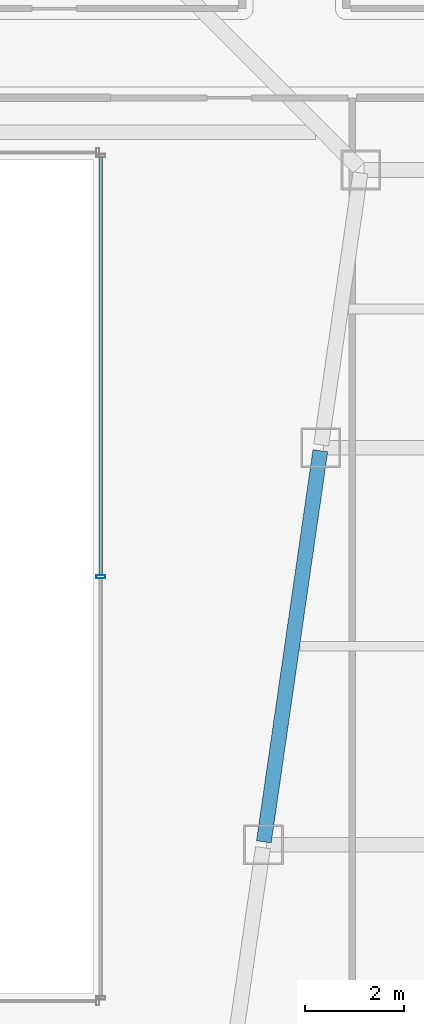
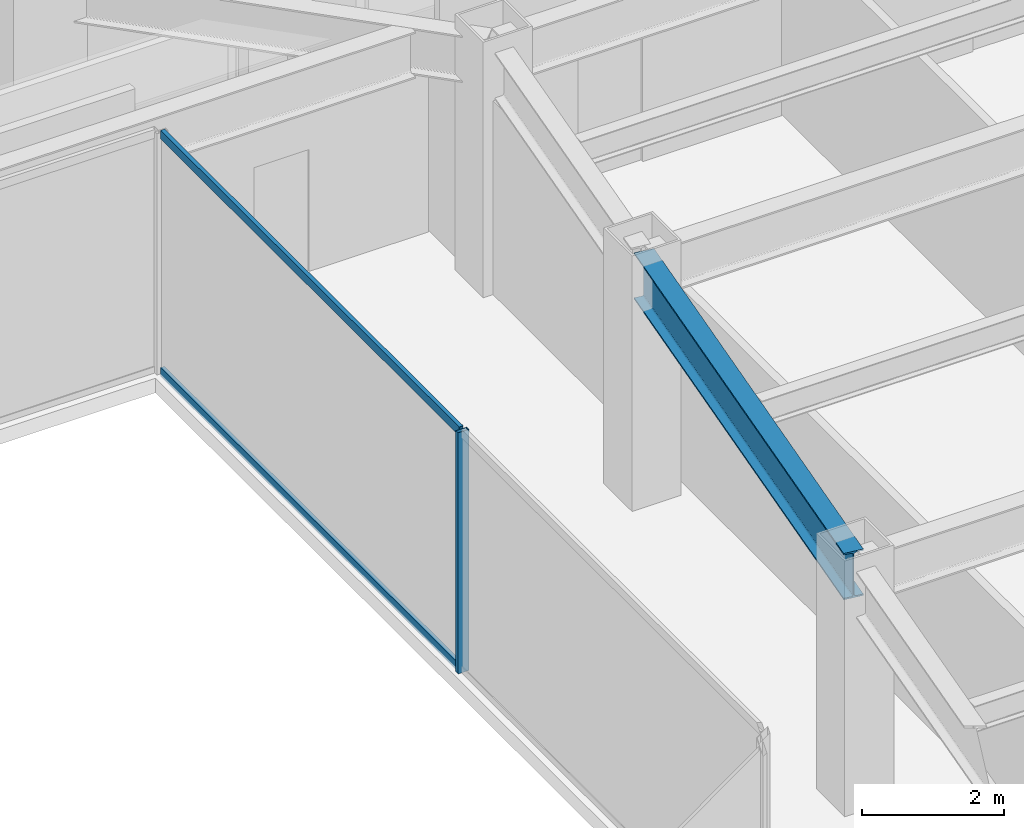
# One storey, part 20 of 49: 3 members, 1 beam, 1 element without a shape of its own.
"""IFC4 building model written with IfcOpenShell, lengths in metres."""

from ifc_helpers import new_model, si_unit, direction, frame, origin, origin_2d, place, context, subcontext, project, spatial, hollow_rectangle, i_section, extrude, material, material_profile, profile_set, type_object, element, aggregate, save


model = new_model("IFC4")

# Units and contexts
model_context = context("Model", 3, precision=1e-05, world=origin(), true_north=direction((0.0, 1.0)))
body_context = subcontext(model_context, "Body", "Model", "MODEL_VIEW")
ifc_project = project(units=[si_unit("LENGTHUNIT", "METRE"), si_unit("AREAUNIT", "SQUARE_METRE"), si_unit("VOLUMEUNIT", "CUBIC_METRE"), si_unit("PLANEANGLEUNIT", "RADIAN"), si_unit("MASSUNIT", "GRAM", prefix="KILO")], contexts=[model_context])

# Site, building, storey
site_placement = place(None, origin())
site = spatial("IfcSite", under=ifc_project, at=site_placement, CompositionType="ELEMENT")
building_placement = place(site_placement, origin())
building = spatial("IfcBuilding", under=site, at=building_placement, Name="Saevonmaru Cultural Tower", CompositionType="ELEMENT")
storey_placement = place(building_placement, frame((0.0, 0.0, 73.60009765625)))
storey = spatial("IfcBuildingStorey", under=building, at=storey_placement, Name="L15", CompositionType="ELEMENT", Elevation=73.60009765625)

# Beam
ifc_material_1 = material(Name="Steel SM420", Category="steel")
ifc_material_profile_1 = material_profile(ifc_material_1, i_section(OverallWidth=0.300048828125, OverallDepth=0.800048828125, WebThickness=0.013916015625, FlangeThickness=0.02587890625, FilletRadius=0.028076171875, at=origin_2d()), Name="H-800x300x14x26")
ifc_profile_set_1 = profile_set([ifc_material_profile_1], Name="Steel SM420")
beam_type = type_object("IfcBeamType", Name="BM-G-H800", PredefinedType="BEAM", material=ifc_profile_set_1)
beam_placement = place(storey_placement, frame((39.236572265625, 24.059326171875, 3.75), z_axis=(0.142902032203, 0.989736838353, 0.0), x_axis=(-0.989736838353, 0.142902032203, 0.0)))
element("IfcBeam", 1, at=beam_placement, inside=storey, type_object=beam_type, Name="L15 East Atrium Girder 4", PredefinedType="BEAM", context=body_context, shape_type="SweptSolid", body=[
    extrude(i_section(OverallWidth=0.300048828125, OverallDepth=0.800048828125, WebThickness=0.013916015625, FlangeThickness=0.02587890625, FilletRadius=0.028076171875, at=origin_2d()), origin(), (0.0, 0.0, 1.0), 7.963134765625),
])

# Curtain wall, members
ifc_material_2 = material(Name="Satin Bronze Anodised Aluminium", Category="aluminium")
curtain_wall_type = type_object("IfcCurtainWallType", Name="CW-ATR-GLZ", PredefinedType="NOTDEFINED", material=ifc_material_2)
curtain_wall_placement = place(storey_placement, origin())
curtain_wall = element("IfcCurtainWall", 2, at=curtain_wall_placement, inside=storey, type_object=curtain_wall_type, Name="L15 Vertical Atrium Glazed Smoke Screen 2", PredefinedType="NOTDEFINED")
ifc_material_profile_2 = material_profile(ifc_material_2, hollow_rectangle(XDim=0.06494140625, YDim=0.179931640625, WallThickness=0.00390625, at=origin_2d()), Name="ALU-MULL-180x65x4")
ifc_profile_set_2 = profile_set([ifc_material_profile_2], Name="Satin Bronze Anodised Aluminium")
member_type_1 = type_object("IfcMemberType", Name="ML-CW-INT-180x65", PredefinedType="MULLION", material=ifc_profile_set_2)
member_1_placement = place(storey_placement, frame((35.949951171875, 29.39990234375, 0.0), z_axis=(0.0, 0.0, 1.0), x_axis=(0.0, 1.0, 0.0)))
member_1 = element("IfcMember", 3, at=member_1_placement, type_object=member_type_1, Name="CW-ATR-L15-2 mullion 2", PredefinedType="MULLION", context=body_context, shape_type="SweptSolid", body=[
    extrude(hollow_rectangle(XDim=0.06494140625, YDim=0.179931640625, WallThickness=0.00390625, at=origin_2d()), origin(), (0.0, 0.0, 1.0), 4.14990234375),
])
ifc_material_profile_3 = material_profile(ifc_material_2, hollow_rectangle(XDim=0.06494140625, YDim=0.14990234375, WallThickness=0.00390625, at=origin_2d()), Name="ALU-TRAN-150x65x4")
ifc_profile_set_3 = profile_set([ifc_material_profile_3], Name="Satin Bronze Anodised Aluminium")
member_type_2 = type_object("IfcMemberType", Name="TR-CW-INT-150x65", PredefinedType="USERDEFINED", material=ifc_profile_set_3)
member_2_placement = place(storey_placement, frame((35.949951171875, 29.4326171875, 0.032470703125), z_axis=(0.0, 1.0, 0.0), x_axis=(-1.0, 0.0, 0.0)))
member_2 = element("IfcMember", 4, at=member_2_placement, type_object=member_type_2, Name="CW-ATR-L15-2 transom 2.1", ObjectType="TRANSOM", PredefinedType="USERDEFINED", context=body_context, shape_type="SweptSolid", body=[
    extrude(hollow_rectangle(XDim=0.06494140625, YDim=0.14990234375, WallThickness=0.00390625, at=origin_2d()), origin(), (0.0, 0.0, 1.0), 8.4248046875),
])
member_3_placement = place(storey_placement, frame((35.949951171875, 29.4326171875, 4.117431640625), z_axis=(0.0, 1.0, 0.0), x_axis=(-1.0, 0.0, 0.0)))
member_3 = element("IfcMember", 5, at=member_3_placement, type_object=member_type_2, Name="CW-ATR-L15-2 transom 2.2", ObjectType="TRANSOM", PredefinedType="USERDEFINED", context=body_context, shape_type="SweptSolid", body=[
    extrude(hollow_rectangle(XDim=0.06494140625, YDim=0.14990234375, WallThickness=0.00390625, at=origin_2d()), origin(), (0.0, 0.0, 1.0), 8.4248046875),
])
aggregate(curtain_wall, [member_1, member_2, member_3])

save(model, "model.ifc")
